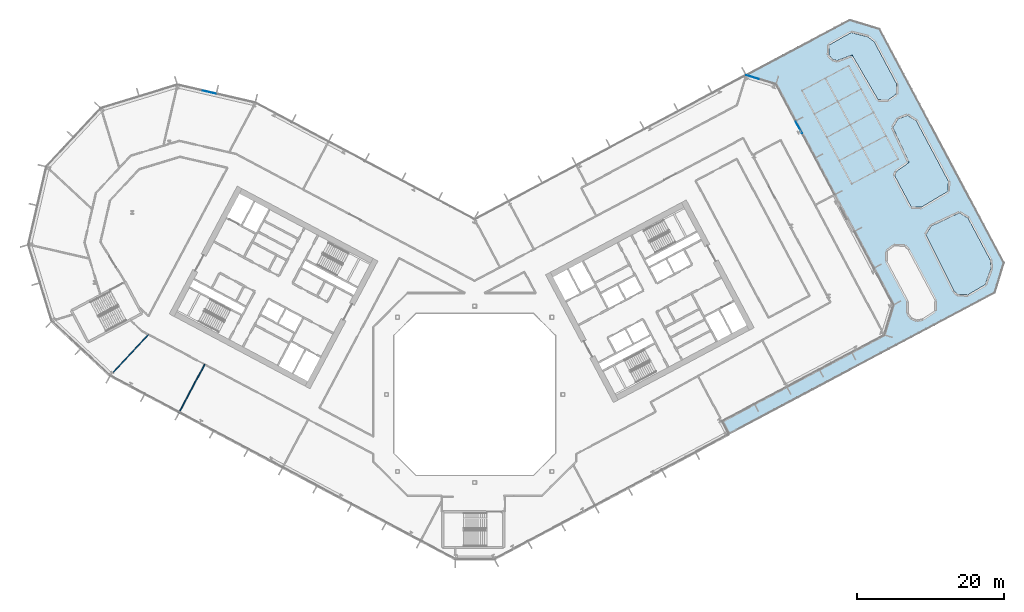
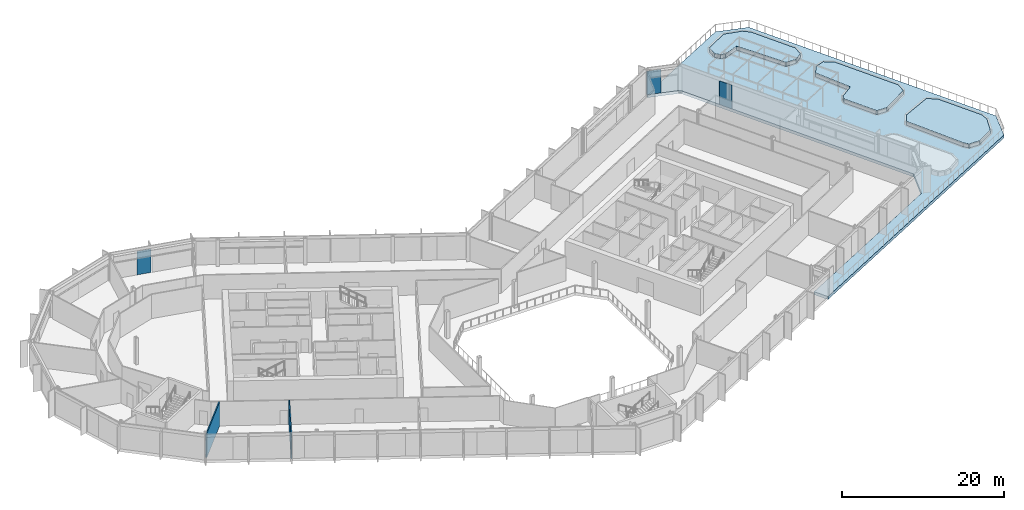
# One storey, part 16 of 34: 4 slabs, 3 plates, 2 walls, 3 elements without a shape of their own.
"""IFC4 building model written with IfcOpenShell, lengths in metres."""

from ifc_helpers import new_model, si_unit, direction, frame, frame_2d, origin, origin_2d, place, context, subcontext, project, spatial, polyline, rectangle, outline, extrude, material, layer, layer_set, type_object, element, aggregate, save


model = new_model("IFC4")

# Units and contexts
model_context = context("Model", 3, precision=1e-05, world=origin(), true_north=direction((0.0, 1.0)))
body_context = subcontext(model_context, "Body", "Model", "MODEL_VIEW")
ifc_project = project(units=[si_unit("LENGTHUNIT", "METRE"), si_unit("AREAUNIT", "SQUARE_METRE"), si_unit("VOLUMEUNIT", "CUBIC_METRE"), si_unit("PLANEANGLEUNIT", "RADIAN"), si_unit("MASSUNIT", "GRAM", prefix="KILO")], contexts=[model_context])

# Site, building, storey
site_placement = place(None, origin())
site = spatial("IfcSite", under=ifc_project, at=site_placement, CompositionType="ELEMENT")
building_placement = place(site_placement, origin())
building = spatial("IfcBuilding", under=site, at=building_placement, Name="Cormorant Relay Tower", CompositionType="ELEMENT")
storey_placement = place(building_placement, frame((0.0, 0.0, 118.199951171875)))
storey = spatial("IfcBuildingStorey", under=building, at=storey_placement, Name="L23", CompositionType="ELEMENT", Elevation=118.199951171875)

# Curtain wall, plate
ifc_material_1 = material(Name="Aluminium 6063-T6 anodised bronze", Category="aluminium")
ifc_layer_1 = layer(ifc_material_1, 0.199951171875)
ifc_layer_set_1 = layer_set([ifc_layer_1], Name="CW1 unitised bronze curtain wall with vertical fins")
curtain_wall_type = type_object("IfcCurtainWallType", Name="CW1 unitised bronze curtain wall with vertical fins", PredefinedType="NOTDEFINED", material=ifc_layer_set_1)
curtain_wall_1_placement = place(storey_placement, origin())
curtain_wall_1 = element("IfcCurtainWall", 1, at=curtain_wall_1_placement, inside=storey, type_object=curtain_wall_type, Name="CW1 curtain wall 6", PredefinedType="NOTDEFINED")
ifc_material_2 = material(Name="Tinted laminated glass", Category="glass")
ifc_layer_2 = layer(ifc_material_2, 0.0400390625)
ifc_layer_set_2 = layer_set([ifc_layer_2], Name="CW1 tinted vision panel 1800 module")
plate_type = type_object("IfcPlateType", Name="CW1 tinted vision panel 1800 module", PredefinedType="CURTAIN_PANEL", material=ifc_layer_set_2)
plate_1_placement = place(storey_placement, frame((44.13037109375, 36.32861328125, 0.0), z_axis=(0.0, 0.0, 1.0), x_axis=(-0.469471562786, 0.882947592859, 0.0)))
plate_1 = element("IfcPlate", 2, at=plate_1_placement, type_object=plate_type, Name="CW1 panel V05", PredefinedType="CURTAIN_PANEL", context=body_context, shape_type="SweptSolid", body=[
    extrude(rectangle(XDim=1.800048828125, YDim=0.0400390625, at=origin_2d()), origin(), (0.0, 0.0, 1.0), 3.550048828125),
])
aggregate(curtain_wall_1, [plate_1])

curtain_wall_2_placement = place(storey_placement, origin())
curtain_wall_2 = element("IfcCurtainWall", 3, at=curtain_wall_2_placement, inside=storey, type_object=curtain_wall_type, Name="CW1 curtain wall 7", PredefinedType="NOTDEFINED")
plate_2_placement = place(storey_placement, frame((37.8037109375, 43.179931640625, 0.0), z_axis=(0.0, 0.0, 1.0), x_axis=(-0.956304755963, 0.292371704723, 0.0)))
plate_2 = element("IfcPlate", 4, at=plate_2_placement, type_object=plate_type, Name="CW1 panel V01", PredefinedType="CURTAIN_PANEL", context=body_context, shape_type="SweptSolid", body=[
    extrude(rectangle(XDim=1.800048828125, YDim=0.0400390625, at=origin_2d()), origin(), (0.0, 0.0, 1.0), 3.550048828125),
])
aggregate(curtain_wall_2, [plate_2])

curtain_wall_3_placement = place(storey_placement, origin())
curtain_wall_3 = element("IfcCurtainWall", 5, at=curtain_wall_3_placement, inside=storey, type_object=curtain_wall_type, Name="CW1 curtain wall 10", PredefinedType="NOTDEFINED")
plate_3_placement = place(storey_placement, frame((-36.114990234375, 41.129638671875, 0.0), z_axis=(0.0, 0.0, 1.0), x_axis=(-0.974370064785, 0.224951054344, 0.0)))
plate_3 = element("IfcPlate", 6, at=plate_3_placement, type_object=plate_type, Name="CW1 panel V01", PredefinedType="CURTAIN_PANEL", context=body_context, shape_type="SweptSolid", body=[
    extrude(rectangle(XDim=1.800048828125, YDim=0.0400390625, at=origin_2d()), origin(), (0.0, 0.0, 1.0), 3.550048828125),
])
aggregate(curtain_wall_3, [plate_3])

# Slabs
ifc_material_3 = material(Name="Planting soil")
ifc_layer_3 = layer(ifc_material_3, 0.60009765625)
ifc_layer_set_3 = layer_set([ifc_layer_3], Name="PLANTER bed")
slab_type_1 = type_object("IfcSlabType", Name="PLANTER bed", PredefinedType="FLOOR", material=ifc_layer_set_3)
slab_1_placement = place(storey_placement, origin())
element("IfcSlab", 7, at=slab_1_placement, inside=storey, type_object=slab_type_1, Name="Terrace PLANTER 23-02", PredefinedType="FLOOR", context=body_context, shape_type="SweptSolid", body=[
    extrude(outline(polyline([(67.12890625, 13.5546875), (69.4736328125, 14.931396484375), (70.28173828125, 17.182373046875), (70.174560546875, 18.296142578125), (67.158935546875, 23.9677734375), (65.974609375, 24.707763671875), (62.15478515625, 22.908203125), (61.420166015625, 21.732421875), (65.236328125, 14.10791015625), (65.7060546875, 13.604248046875), (67.12890625, 13.5546875)])), origin(), (0.0, 0.0, 1.0), 0.60009765625),
])
slab_2_placement = place(storey_placement, origin())
element("IfcSlab", 8, at=slab_2_placement, inside=storey, type_object=slab_type_1, Name="Terrace PLANTER 23-03", PredefinedType="FLOOR", context=body_context, shape_type="SweptSolid", body=[
    extrude(outline(polyline([(60.790283203125, 25.474365234375), (64.418212890625, 27.634765625), (64.467041015625, 29.030517578125), (60.116943359375, 37.2119140625), (58.920654296875, 37.95947265625), (57.64306640625, 37.49072265625), (56.912841796875, 36.322021484375), (59.1357421875, 31.582275390625), (57.364990234375, 30.329833984375), (57.177978515625, 29.718505859375), (59.408935546875, 25.522705078125), (60.790283203125, 25.474365234375)])), origin(), (0.0, 0.0, 1.0), 0.60009765625),
])
slab_3_placement = place(storey_placement, origin())
element("IfcSlab", 9, at=slab_3_placement, inside=storey, type_object=slab_type_1, Name="Terrace PLANTER 23-04", PredefinedType="FLOOR", context=body_context, shape_type="SweptSolid", body=[
    extrude(outline(polyline([(56.27294921875, 40.06787109375), (57.375732421875, 40.864990234375), (57.4248046875, 42.274658203125), (54.4091796875, 47.9462890625), (53.5458984375, 48.657958984375), (51.2373046875, 49.244384765625), (48.240966796875, 47.55322265625), (48.193603515625, 46.193603515625), (48.69287109375, 45.62744140625), (49.33544921875, 45.430908203125), (51.36669921875, 46.19970703125), (54.897705078125, 40.115966796875), (56.27294921875, 40.06787109375)])), origin(), (0.0, 0.0, 1.0), 0.60009765625),
])
ifc_material_4 = material(Name="Concrete 40 MPa", Category="concrete")
ifc_layer_4 = layer(ifc_material_4, 0.449951171875)
ifc_layer_set_4 = layer_set([ifc_layer_4], Name="Terrace slab 450")
slab_type_2 = type_object("IfcSlabType", Name="Terrace slab 450", PredefinedType="FLOOR", material=ifc_layer_set_4)
slab_4_placement = place(storey_placement, frame((0.0, 0.0, -0.449951171875)))
element("IfcSlab", 10, at=slab_4_placement, inside=storey, type_object=slab_type_2, Name="Terrace slab L23", PredefinedType="FLOOR", context=body_context, shape_type="SweptSolid", body=[
    extrude(outline(polyline([(51.064453125, 50.935302734375), (55.12158203125, 49.695068359375), (72.022705078125, 17.908935546875), (70.7822265625, 13.8515625), (34.581298828125, -5.396728515625), (33.642578125, -3.630859375), (55.71630859375, 8.10595703125), (56.95654296875, 12.1630859375), (40.99462890625, 42.18359375), (36.937255859375, 43.423828125), (51.064453125, 50.935302734375)])), origin(), (0.0, 0.0, 1.0), 0.449951171875),
])

# Walls
ifc_material_5 = material(Name="Gypsum board partition")
ifc_layer_5 = layer(ifc_material_5, 0.14990234375)
ifc_layer_set_5 = layer_set([ifc_layer_5], Name="Tenant partition 150")
wall_type = type_object("IfcWallType", Name="Tenant partition 150", PredefinedType="PARTITIONING", material=ifc_layer_set_5)
wall_1_placement = place(storey_placement, frame((-44.402099609375, 8.14892578125, 0.0), z_axis=(0.0, 0.0, 1.0), x_axis=(-0.682039957921, -0.731314908777, 0.0)))
element("IfcWall", 11, at=wall_1_placement, inside=storey, type_object=wall_type, Name="wall/L23/part/011", PredefinedType="PARTITIONING", context=body_context, shape_type="SweptSolid", body=[
    extrude(rectangle(XDim=7.0654296875, YDim=0.14990234375, at=frame_2d((3.53271484375, 0.0))), origin(), (0.0, 0.0, 1.0), 3.64013671875),
])
wall_2_placement = place(storey_placement, frame((-36.751953125, 4.08203125, 0.0), z_axis=(0.0, 0.0, 1.0), x_axis=(-0.46955237308, -0.88290462052, 0.0)))
element("IfcWall", 12, at=wall_2_placement, inside=storey, type_object=wall_type, Name="wall/L23/part/012", PredefinedType="PARTITIONING", context=body_context, shape_type="SweptSolid", body=[
    extrude(rectangle(XDim=7.550048828125, YDim=0.14990234375, at=frame_2d((3.77490234375, 0.0))), origin(), (0.0, 0.0, 1.0), 3.64013671875),
])

save(model, "model.ifc")
